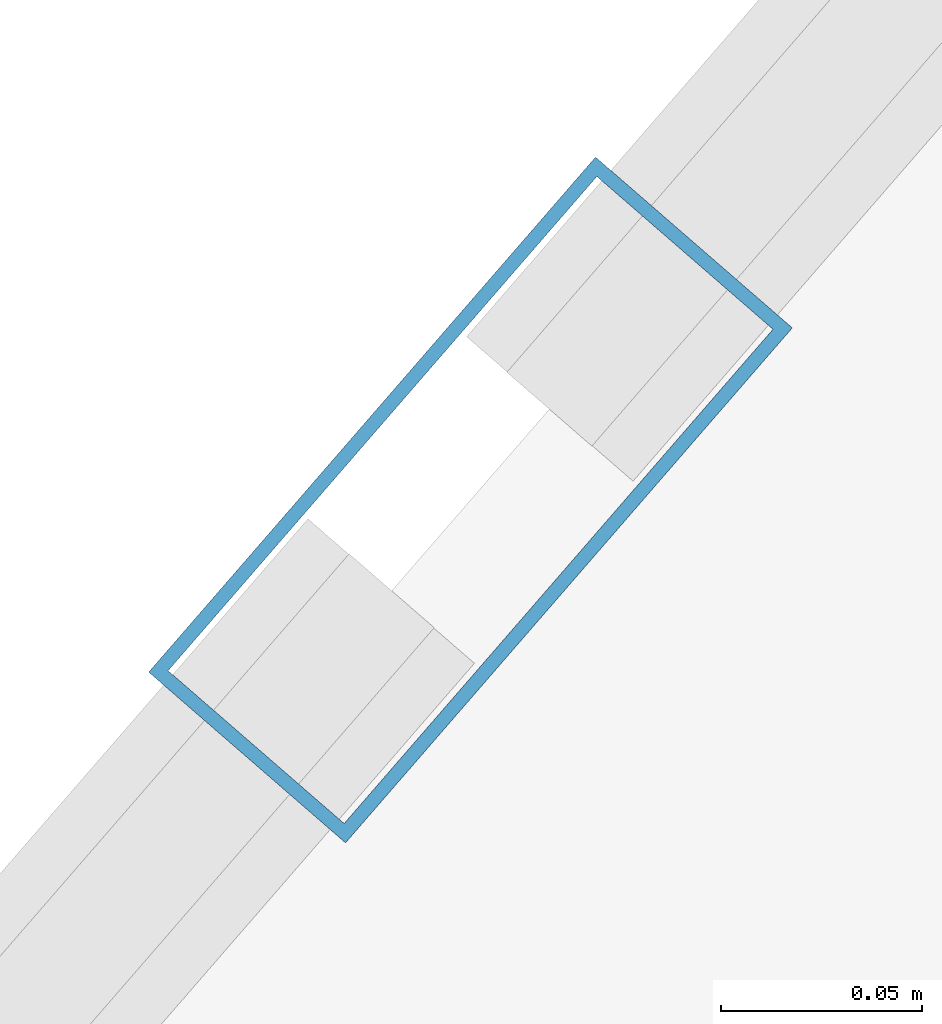
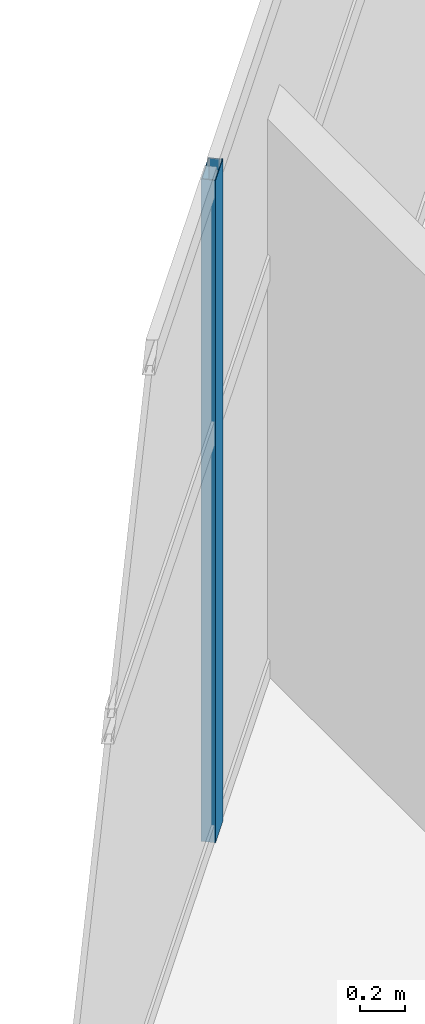
# One storey, part 13 of 29: 1 member, 1 element without a shape of its own.
"""IFC4 building model written with IfcOpenShell, lengths in metres."""

from ifc_helpers import new_model, si_unit, direction, frame, origin, origin_2d, place, context, subcontext, project, spatial, hollow_rectangle, extrude, material, layer, layer_set, material_profile, profile_set, type_object, element, aggregate, save


model = new_model("IFC4")

# Units and contexts
model_context = context("Model", 3, precision=1e-05, world=origin(), true_north=direction((0.0, 1.0)))
body_context = subcontext(model_context, "Body", "Model", "MODEL_VIEW")
ifc_project = project(units=[si_unit("LENGTHUNIT", "METRE"), si_unit("AREAUNIT", "SQUARE_METRE"), si_unit("VOLUMEUNIT", "CUBIC_METRE"), si_unit("PLANEANGLEUNIT", "RADIAN"), si_unit("MASSUNIT", "GRAM", prefix="KILO")], contexts=[model_context])

# Site, building, storey
site_placement = place(None, origin())
site = spatial("IfcSite", under=ifc_project, at=site_placement, CompositionType="ELEMENT")
building_placement = place(site_placement, origin())
building = spatial("IfcBuilding", under=site, at=building_placement, Name="Calvorn Quay Hotel", CompositionType="ELEMENT")
storey_placement = place(building_placement, frame((0.0, 0.0, 255.199951171875)))
storey = spatial("IfcBuildingStorey", under=building, at=storey_placement, Name="L63", CompositionType="ELEMENT", Elevation=255.199951171875)

# Curtain wall, member
ifc_material_1 = material(Name="Champagne Bronze Anodised Aluminium and Low-E Glass", Category="aluminium")
ifc_layer = layer(ifc_material_1, 0.219970703125)
ifc_layer_set = layer_set([ifc_layer], Name="CW-SYS-Z4")
curtain_wall_type = type_object("IfcCurtainWallType", Name="CW-SYS-Z4", PredefinedType="NOTDEFINED", material=ifc_layer_set)
curtain_wall_placement = place(storey_placement, origin())
curtain_wall = element("IfcCurtainWall", 1, at=curtain_wall_placement, inside=storey, type_object=curtain_wall_type, Name="Inner Court Curtain Wall L63-NE1", PredefinedType="NOTDEFINED")
ifc_material_2 = material(Name="Champagne Bronze Anodised Aluminium 6063-T6", Category="aluminium")
ifc_material_profile = material_profile(ifc_material_2, hollow_rectangle(XDim=0.06494140625, YDim=0.169921875, WallThickness=0.00341796875, at=origin_2d()), Name="ALU-M170x65x3.5")
ifc_profile_set = profile_set([ifc_material_profile], Name="Champagne Bronze Anodised Aluminium 6063-T6")
member_type = type_object("IfcMemberType", Name="CW-SYS-Z4-MUL", PredefinedType="MULLION", material=ifc_profile_set)
member_placement = place(storey_placement, frame((27.5, 31.199951171875, 0.0), z_axis=(0.0, 0.0, 1.0), x_axis=(0.755322467304, -0.655353317216, 0.0)))
member = element("IfcMember", 2, at=member_placement, type_object=member_type, Name="CW-L63-NE1 mullion 2", PredefinedType="MULLION", context=body_context, shape_type="SweptSolid", body=[
    extrude(hollow_rectangle(XDim=0.06494140625, YDim=0.169921875, WallThickness=0.00341796875, at=origin_2d()), origin(), (0.0, 0.0, 1.0), 3.56005859375),
])
aggregate(curtain_wall, [member])

save(model, "model.ifc")
